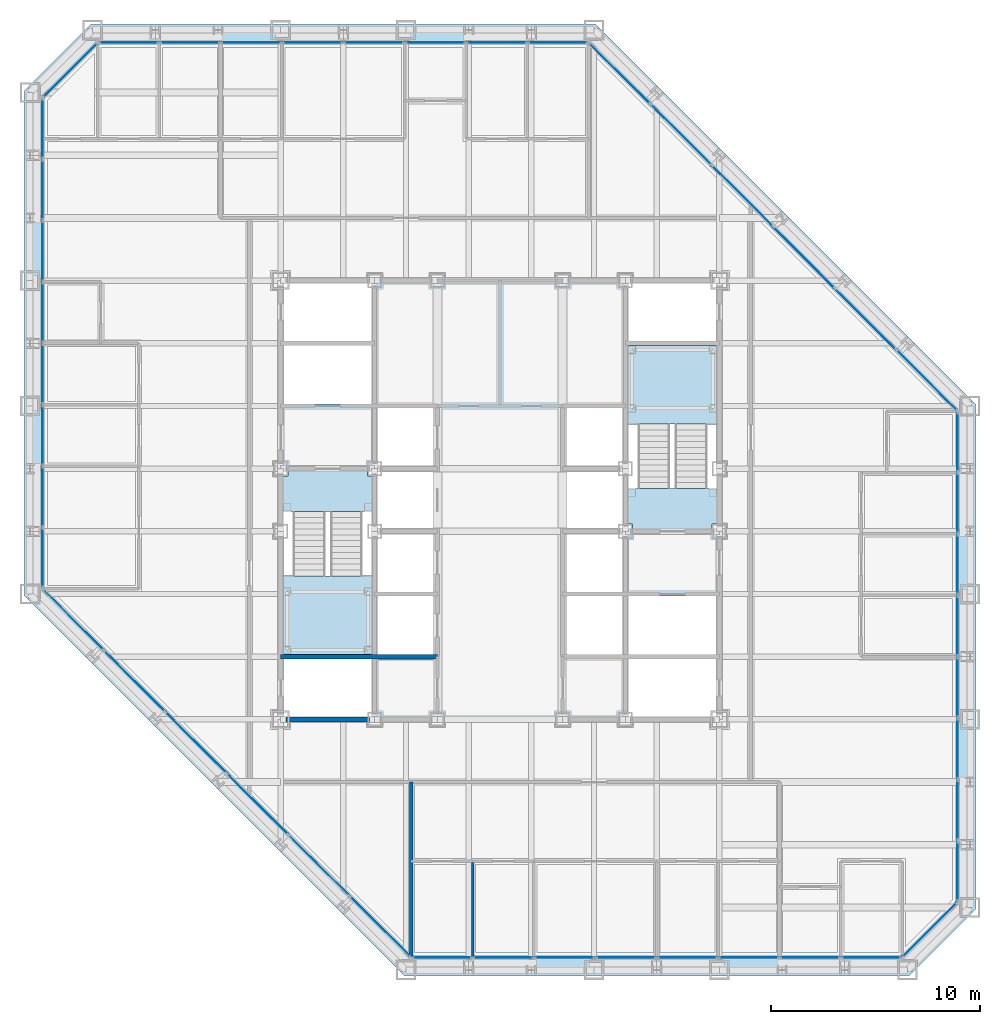
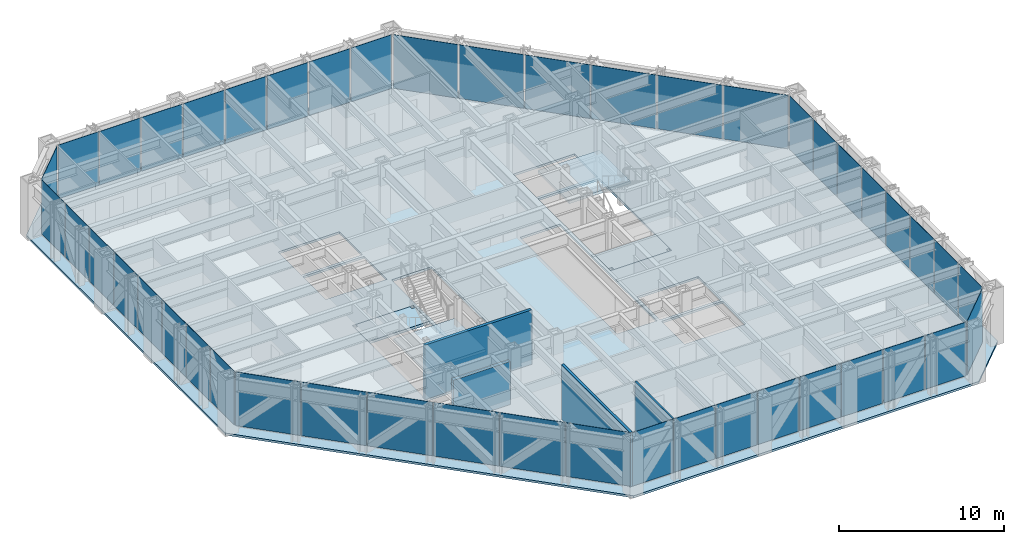
# One storey, part 9 of 16: 46 plates, 5 slabs, 4 walls, 10 elements without a shape of their own.
"""IFC4 building model written with IfcOpenShell, lengths in metres."""

from ifc_helpers import new_model, si_unit, direction, frame, frame_2d, origin, origin_2d, place, context, subcontext, project, spatial, polyline, rectangle, outline, extrude, material, layer, layer_set, type_object, element, aggregate, save


model = new_model("IFC4")

# Units and contexts
model_context = context("Model", 3, precision=1e-05, world=origin(), true_north=direction((0.0, 1.0)))
body_context = subcontext(model_context, "Body", "Model", "MODEL_VIEW")
ifc_project = project(units=[si_unit("LENGTHUNIT", "METRE"), si_unit("AREAUNIT", "SQUARE_METRE"), si_unit("VOLUMEUNIT", "CUBIC_METRE"), si_unit("PLANEANGLEUNIT", "RADIAN"), si_unit("MASSUNIT", "GRAM", prefix="KILO")], contexts=[model_context])

# Site, building, storey
site_placement = place(None, origin())
site = spatial("IfcSite", under=ifc_project, at=site_placement, CompositionType="ELEMENT")
building_placement = place(site_placement, origin())
building = spatial("IfcBuilding", under=site, at=building_placement, Name="Chuquiago Exchange Tower", CompositionType="ELEMENT")
storey_placement = place(building_placement, frame((0.0, 0.0, 111.0)))
storey = spatial("IfcBuildingStorey", under=building, at=storey_placement, Name="L23", CompositionType="ELEMENT", Elevation=111.0)

# Curtain wall, plates
ifc_material_1 = material(Name="Aluminium curtain wall system", Category="aluminium")
ifc_layer_1 = layer(ifc_material_1, 0.22509765625)
ifc_layer_set_1 = layer_set([ifc_layer_1], Name="CW2 office curtain wall")
curtain_wall_type_1 = type_object("IfcCurtainWallType", Name="CW2 office curtain wall", PredefinedType="NOTDEFINED", material=ifc_layer_set_1)
curtain_wall_1_placement = place(storey_placement, origin())
curtain_wall_1 = element("IfcCurtainWall", 1, at=curtain_wall_1_placement, inside=storey, type_object=curtain_wall_type_1, Name="CW2 curtain wall L23", PredefinedType="NOTDEFINED")
ifc_material_2 = material(Name="Glass, insulating unit", Category="glass")
ifc_layer_2 = layer(ifc_material_2, 0.030029296875)
ifc_layer_set_2 = layer_set([ifc_layer_2], Name="CW2-P panel 30")
plate_type_1 = type_object("IfcPlateType", Name="CW2-P panel 30", PredefinedType="CURTAIN_PANEL", material=ifc_layer_set_2)
plate_1_placement = place(storey_placement, frame((25.59326171875, 0.60009765625, 0.06494140625), z_axis=(0.0, 0.0, 1.0), x_axis=(1.0, 0.0, 0.0)))
plate_1 = element("IfcPlate", 2, at=plate_1_placement, type_object=plate_type_1, Name="CW2 panel 3.1", PredefinedType="CURTAIN_PANEL", context=body_context, shape_type="SweptSolid", body=[
    extrude(rectangle(XDim=2.872802734375, YDim=0.030029296875, at=origin_2d()), origin(), (0.0, 0.0, 1.0), 3.97509765625),
])
plate_2_placement = place(storey_placement, frame((34.40673828125, 0.60009765625, 0.06494140625), z_axis=(0.0, 0.0, 1.0), x_axis=(1.0, 0.0, 0.0)))
plate_2 = element("IfcPlate", 3, at=plate_2_placement, type_object=plate_type_1, Name="CW2 panel 6.1", PredefinedType="CURTAIN_PANEL", context=body_context, shape_type="SweptSolid", body=[
    extrude(rectangle(XDim=2.872802734375, YDim=0.030029296875, at=origin_2d()), origin(), (0.0, 0.0, 1.0), 3.97509765625),
])

curtain_wall_2_placement = place(storey_placement, origin())
curtain_wall_2 = element("IfcCurtainWall", 4, at=curtain_wall_2_placement, inside=storey, type_object=curtain_wall_type_1, Name="CW2 curtain wall L23", PredefinedType="NOTDEFINED")
plate_3_placement = place(storey_placement, frame((44.39990234375, 10.59326171875, 0.06494140625), z_axis=(0.0, 0.0, 1.0), x_axis=(0.0, 1.0, 0.0)))
plate_3 = element("IfcPlate", 5, at=plate_3_placement, type_object=plate_type_1, Name="CW2 panel 3.1", PredefinedType="CURTAIN_PANEL", context=body_context, shape_type="SweptSolid", body=[
    extrude(rectangle(XDim=2.872802734375, YDim=0.030029296875, at=origin_2d()), origin(), (0.0, 0.0, 1.0), 3.97509765625),
])
plate_4_placement = place(storey_placement, frame((44.39990234375, 19.40673828125, 0.06494140625), z_axis=(0.0, 0.0, 1.0), x_axis=(0.0, 1.0, 0.0)))
plate_4 = element("IfcPlate", 6, at=plate_4_placement, type_object=plate_type_1, Name="CW2 panel 6.1", PredefinedType="CURTAIN_PANEL", context=body_context, shape_type="SweptSolid", body=[
    extrude(rectangle(XDim=2.872802734375, YDim=0.030029296875, at=origin_2d()), origin(), (0.0, 0.0, 1.0), 3.97509765625),
])

curtain_wall_3_placement = place(storey_placement, origin())
curtain_wall_3 = element("IfcCurtainWall", 7, at=curtain_wall_3_placement, inside=storey, type_object=curtain_wall_type_1, Name="CW2 curtain wall L23", PredefinedType="NOTDEFINED")
plate_5_placement = place(storey_placement, frame((19.40673828125, 44.39990234375, 0.06494140625), z_axis=(0.0, 0.0, 1.0), x_axis=(-1.0, 0.0, 0.0)))
plate_5 = element("IfcPlate", 8, at=plate_5_placement, type_object=plate_type_1, Name="CW2 panel 3.1", PredefinedType="CURTAIN_PANEL", context=body_context, shape_type="SweptSolid", body=[
    extrude(rectangle(XDim=2.872802734375, YDim=0.030029296875, at=origin_2d()), origin(), (0.0, 0.0, 1.0), 3.97509765625),
])
plate_6_placement = place(storey_placement, frame((10.59326171875, 44.39990234375, 0.06494140625), z_axis=(0.0, 0.0, 1.0), x_axis=(-1.0, 0.0, 0.0)))
plate_6 = element("IfcPlate", 9, at=plate_6_placement, type_object=plate_type_1, Name="CW2 panel 6.1", PredefinedType="CURTAIN_PANEL", context=body_context, shape_type="SweptSolid", body=[
    extrude(rectangle(XDim=2.872802734375, YDim=0.030029296875, at=origin_2d()), origin(), (0.0, 0.0, 1.0), 3.97509765625),
])

curtain_wall_4_placement = place(storey_placement, origin())
curtain_wall_4 = element("IfcCurtainWall", 10, at=curtain_wall_4_placement, inside=storey, type_object=curtain_wall_type_1, Name="CW2 curtain wall L23", PredefinedType="NOTDEFINED")
plate_7_placement = place(storey_placement, frame((0.60009765625, 34.40673828125, 0.06494140625), z_axis=(0.0, 0.0, 1.0), x_axis=(0.0, -1.0, 0.0)))
plate_7 = element("IfcPlate", 11, at=plate_7_placement, type_object=plate_type_1, Name="CW2 panel 3.1", PredefinedType="CURTAIN_PANEL", context=body_context, shape_type="SweptSolid", body=[
    extrude(rectangle(XDim=2.872802734375, YDim=0.030029296875, at=origin_2d()), origin(), (0.0, 0.0, 1.0), 3.97509765625),
])
plate_8_placement = place(storey_placement, frame((0.60009765625, 25.59326171875, 0.06494140625), z_axis=(0.0, 0.0, 1.0), x_axis=(0.0, -1.0, 0.0)))
plate_8 = element("IfcPlate", 12, at=plate_8_placement, type_object=plate_type_1, Name="CW2 panel 6.1", PredefinedType="CURTAIN_PANEL", context=body_context, shape_type="SweptSolid", body=[
    extrude(rectangle(XDim=2.872802734375, YDim=0.030029296875, at=origin_2d()), origin(), (0.0, 0.0, 1.0), 3.97509765625),
])

# Plate
ifc_material_3 = material(Name="Insulated spandrel panel, pale anodised aluminium", Category="aluminium")
ifc_layer_3 = layer(ifc_material_3, 0.030029296875)
ifc_layer_set_3 = layer_set([ifc_layer_3], Name="CW2-P spandrel panel 30")
plate_type_2 = type_object("IfcPlateType", Name="CW2-P spandrel panel 30", PredefinedType="CURTAIN_PANEL", material=ifc_layer_set_3)
plate_9_placement = place(storey_placement, frame((19.733642578125, 0.60009765625, 0.06494140625), z_axis=(0.0, 0.0, 1.0), x_axis=(1.0, 0.0, 0.0)))
plate_9 = element("IfcPlate", 13, at=plate_9_placement, type_object=plate_type_2, Name="CW2 panel 1.1", PredefinedType="CURTAIN_PANEL", context=body_context, shape_type="SweptSolid", body=[
    extrude(rectangle(XDim=2.84033203125, YDim=0.030029296875, at=origin_2d()), origin(), (0.0, 0.0, 1.0), 3.97509765625),
])

plate_10_placement = place(storey_placement, frame((22.6552734375, 0.60009765625, 0.06494140625), z_axis=(0.0, 0.0, 1.0), x_axis=(1.0, 0.0, 0.0)))
plate_10 = element("IfcPlate", 14, at=plate_10_placement, type_object=plate_type_2, Name="CW2 panel 2.1", PredefinedType="CURTAIN_PANEL", context=body_context, shape_type="SweptSolid", body=[
    extrude(rectangle(XDim=2.872802734375, YDim=0.030029296875, at=origin_2d()), origin(), (0.0, 0.0, 1.0), 3.97509765625),
])

plate_11_placement = place(storey_placement, frame((28.531005859375, 0.60009765625, 0.06494140625), z_axis=(0.0, 0.0, 1.0), x_axis=(1.0, 0.0, 0.0)))
plate_11 = element("IfcPlate", 15, at=plate_11_placement, type_object=plate_type_2, Name="CW2 panel 4.1", PredefinedType="CURTAIN_PANEL", context=body_context, shape_type="SweptSolid", body=[
    extrude(rectangle(XDim=2.872802734375, YDim=0.030029296875, at=origin_2d()), origin(), (0.0, 0.0, 1.0), 3.97509765625),
])

plate_12_placement = place(storey_placement, frame((31.468994140625, 0.60009765625, 0.06494140625), z_axis=(0.0, 0.0, 1.0), x_axis=(1.0, 0.0, 0.0)))
plate_12 = element("IfcPlate", 16, at=plate_12_placement, type_object=plate_type_2, Name="CW2 panel 5.1", PredefinedType="CURTAIN_PANEL", context=body_context, shape_type="SweptSolid", body=[
    extrude(rectangle(XDim=2.872802734375, YDim=0.030029296875, at=origin_2d()), origin(), (0.0, 0.0, 1.0), 3.97509765625),
])

plate_13_placement = place(storey_placement, frame((37.3447265625, 0.60009765625, 0.06494140625), z_axis=(0.0, 0.0, 1.0), x_axis=(1.0, 0.0, 0.0)))
plate_13 = element("IfcPlate", 17, at=plate_13_placement, type_object=plate_type_2, Name="CW2 panel 7.1", PredefinedType="CURTAIN_PANEL", context=body_context, shape_type="SweptSolid", body=[
    extrude(rectangle(XDim=2.872802734375, YDim=0.030029296875, at=origin_2d()), origin(), (0.0, 0.0, 1.0), 3.97509765625),
])

plate_14_placement = place(storey_placement, frame((40.266357421875, 0.60009765625, 0.06494140625), z_axis=(0.0, 0.0, 1.0), x_axis=(1.0, 0.0, 0.0)))
plate_14 = element("IfcPlate", 18, at=plate_14_placement, type_object=plate_type_2, Name="CW2 panel 8.1", PredefinedType="CURTAIN_PANEL", context=body_context, shape_type="SweptSolid", body=[
    extrude(rectangle(XDim=2.84033203125, YDim=0.030029296875, at=origin_2d()), origin(), (0.0, 0.0, 1.0), 3.97509765625),
])

aggregate(curtain_wall_1, [plate_9, plate_10, plate_1, plate_11, plate_12, plate_2, plate_13, plate_14])

plate_15_placement = place(storey_placement, frame((44.39990234375, 4.733642578125, 0.06494140625), z_axis=(0.0, 0.0, 1.0), x_axis=(0.0, 1.0, 0.0)))
plate_15 = element("IfcPlate", 19, at=plate_15_placement, type_object=plate_type_2, Name="CW2 panel 1.1", PredefinedType="CURTAIN_PANEL", context=body_context, shape_type="SweptSolid", body=[
    extrude(rectangle(XDim=2.84033203125, YDim=0.030029296875, at=origin_2d()), origin(), (0.0, 0.0, 1.0), 3.97509765625),
])

plate_16_placement = place(storey_placement, frame((44.39990234375, 7.6552734375, 0.06494140625), z_axis=(0.0, 0.0, 1.0), x_axis=(0.0, 1.0, 0.0)))
plate_16 = element("IfcPlate", 20, at=plate_16_placement, type_object=plate_type_2, Name="CW2 panel 2.1", PredefinedType="CURTAIN_PANEL", context=body_context, shape_type="SweptSolid", body=[
    extrude(rectangle(XDim=2.872802734375, YDim=0.030029296875, at=origin_2d()), origin(), (0.0, 0.0, 1.0), 3.97509765625),
])

plate_17_placement = place(storey_placement, frame((44.39990234375, 13.531005859375, 0.06494140625), z_axis=(0.0, 0.0, 1.0), x_axis=(0.0, 1.0, 0.0)))
plate_17 = element("IfcPlate", 21, at=plate_17_placement, type_object=plate_type_2, Name="CW2 panel 4.1", PredefinedType="CURTAIN_PANEL", context=body_context, shape_type="SweptSolid", body=[
    extrude(rectangle(XDim=2.872802734375, YDim=0.030029296875, at=origin_2d()), origin(), (0.0, 0.0, 1.0), 3.97509765625),
])

plate_18_placement = place(storey_placement, frame((44.39990234375, 16.468994140625, 0.06494140625), z_axis=(0.0, 0.0, 1.0), x_axis=(0.0, 1.0, 0.0)))
plate_18 = element("IfcPlate", 22, at=plate_18_placement, type_object=plate_type_2, Name="CW2 panel 5.1", PredefinedType="CURTAIN_PANEL", context=body_context, shape_type="SweptSolid", body=[
    extrude(rectangle(XDim=2.872802734375, YDim=0.030029296875, at=origin_2d()), origin(), (0.0, 0.0, 1.0), 3.97509765625),
])

plate_19_placement = place(storey_placement, frame((44.39990234375, 22.3447265625, 0.06494140625), z_axis=(0.0, 0.0, 1.0), x_axis=(0.0, 1.0, 0.0)))
plate_19 = element("IfcPlate", 23, at=plate_19_placement, type_object=plate_type_2, Name="CW2 panel 7.1", PredefinedType="CURTAIN_PANEL", context=body_context, shape_type="SweptSolid", body=[
    extrude(rectangle(XDim=2.872802734375, YDim=0.030029296875, at=origin_2d()), origin(), (0.0, 0.0, 1.0), 3.97509765625),
])

plate_20_placement = place(storey_placement, frame((44.39990234375, 25.266357421875, 0.06494140625), z_axis=(0.0, 0.0, 1.0), x_axis=(0.0, 1.0, 0.0)))
plate_20 = element("IfcPlate", 24, at=plate_20_placement, type_object=plate_type_2, Name="CW2 panel 8.1", PredefinedType="CURTAIN_PANEL", context=body_context, shape_type="SweptSolid", body=[
    extrude(rectangle(XDim=2.84033203125, YDim=0.030029296875, at=origin_2d()), origin(), (0.0, 0.0, 1.0), 3.97509765625),
])

aggregate(curtain_wall_2, [plate_15, plate_16, plate_3, plate_17, plate_18, plate_4, plate_19, plate_20])

plate_21_placement = place(storey_placement, frame((25.266357421875, 44.39990234375, 0.06494140625), z_axis=(0.0, 0.0, 1.0), x_axis=(-1.0, 0.0, 0.0)))
plate_21 = element("IfcPlate", 25, at=plate_21_placement, type_object=plate_type_2, Name="CW2 panel 1.1", PredefinedType="CURTAIN_PANEL", context=body_context, shape_type="SweptSolid", body=[
    extrude(rectangle(XDim=2.84033203125, YDim=0.030029296875, at=origin_2d()), origin(), (0.0, 0.0, 1.0), 3.97509765625),
])

plate_22_placement = place(storey_placement, frame((22.3447265625, 44.39990234375, 0.06494140625), z_axis=(0.0, 0.0, 1.0), x_axis=(-1.0, 0.0, 0.0)))
plate_22 = element("IfcPlate", 26, at=plate_22_placement, type_object=plate_type_2, Name="CW2 panel 2.1", PredefinedType="CURTAIN_PANEL", context=body_context, shape_type="SweptSolid", body=[
    extrude(rectangle(XDim=2.872802734375, YDim=0.030029296875, at=origin_2d()), origin(), (0.0, 0.0, 1.0), 3.97509765625),
])

plate_23_placement = place(storey_placement, frame((16.468994140625, 44.39990234375, 0.06494140625), z_axis=(0.0, 0.0, 1.0), x_axis=(-1.0, 0.0, 0.0)))
plate_23 = element("IfcPlate", 27, at=plate_23_placement, type_object=plate_type_2, Name="CW2 panel 4.1", PredefinedType="CURTAIN_PANEL", context=body_context, shape_type="SweptSolid", body=[
    extrude(rectangle(XDim=2.872802734375, YDim=0.030029296875, at=origin_2d()), origin(), (0.0, 0.0, 1.0), 3.97509765625),
])

plate_24_placement = place(storey_placement, frame((13.531005859375, 44.39990234375, 0.06494140625), z_axis=(0.0, 0.0, 1.0), x_axis=(-1.0, 0.0, 0.0)))
plate_24 = element("IfcPlate", 28, at=plate_24_placement, type_object=plate_type_2, Name="CW2 panel 5.1", PredefinedType="CURTAIN_PANEL", context=body_context, shape_type="SweptSolid", body=[
    extrude(rectangle(XDim=2.872802734375, YDim=0.030029296875, at=origin_2d()), origin(), (0.0, 0.0, 1.0), 3.97509765625),
])

plate_25_placement = place(storey_placement, frame((7.6552734375, 44.39990234375, 0.06494140625), z_axis=(0.0, 0.0, 1.0), x_axis=(-1.0, 0.0, 0.0)))
plate_25 = element("IfcPlate", 29, at=plate_25_placement, type_object=plate_type_2, Name="CW2 panel 7.1", PredefinedType="CURTAIN_PANEL", context=body_context, shape_type="SweptSolid", body=[
    extrude(rectangle(XDim=2.872802734375, YDim=0.030029296875, at=origin_2d()), origin(), (0.0, 0.0, 1.0), 3.97509765625),
])

plate_26_placement = place(storey_placement, frame((4.733642578125, 44.39990234375, 0.06494140625), z_axis=(0.0, 0.0, 1.0), x_axis=(-1.0, 0.0, 0.0)))
plate_26 = element("IfcPlate", 30, at=plate_26_placement, type_object=plate_type_2, Name="CW2 panel 8.1", PredefinedType="CURTAIN_PANEL", context=body_context, shape_type="SweptSolid", body=[
    extrude(rectangle(XDim=2.84033203125, YDim=0.030029296875, at=origin_2d()), origin(), (0.0, 0.0, 1.0), 3.97509765625),
])

aggregate(curtain_wall_3, [plate_21, plate_22, plate_5, plate_23, plate_24, plate_6, plate_25, plate_26])

plate_27_placement = place(storey_placement, frame((0.60009765625, 40.266357421875, 0.06494140625), z_axis=(0.0, 0.0, 1.0), x_axis=(0.0, -1.0, 0.0)))
plate_27 = element("IfcPlate", 31, at=plate_27_placement, type_object=plate_type_2, Name="CW2 panel 1.1", PredefinedType="CURTAIN_PANEL", context=body_context, shape_type="SweptSolid", body=[
    extrude(rectangle(XDim=2.84033203125, YDim=0.030029296875, at=origin_2d()), origin(), (0.0, 0.0, 1.0), 3.97509765625),
])

plate_28_placement = place(storey_placement, frame((0.60009765625, 37.3447265625, 0.06494140625), z_axis=(0.0, 0.0, 1.0), x_axis=(0.0, -1.0, 0.0)))
plate_28 = element("IfcPlate", 32, at=plate_28_placement, type_object=plate_type_2, Name="CW2 panel 2.1", PredefinedType="CURTAIN_PANEL", context=body_context, shape_type="SweptSolid", body=[
    extrude(rectangle(XDim=2.872802734375, YDim=0.030029296875, at=origin_2d()), origin(), (0.0, 0.0, 1.0), 3.97509765625),
])

plate_29_placement = place(storey_placement, frame((0.60009765625, 31.468994140625, 0.06494140625), z_axis=(0.0, 0.0, 1.0), x_axis=(0.0, -1.0, 0.0)))
plate_29 = element("IfcPlate", 33, at=plate_29_placement, type_object=plate_type_2, Name="CW2 panel 4.1", PredefinedType="CURTAIN_PANEL", context=body_context, shape_type="SweptSolid", body=[
    extrude(rectangle(XDim=2.872802734375, YDim=0.030029296875, at=origin_2d()), origin(), (0.0, 0.0, 1.0), 3.97509765625),
])

plate_30_placement = place(storey_placement, frame((0.60009765625, 28.531005859375, 0.06494140625), z_axis=(0.0, 0.0, 1.0), x_axis=(0.0, -1.0, 0.0)))
plate_30 = element("IfcPlate", 34, at=plate_30_placement, type_object=plate_type_2, Name="CW2 panel 5.1", PredefinedType="CURTAIN_PANEL", context=body_context, shape_type="SweptSolid", body=[
    extrude(rectangle(XDim=2.872802734375, YDim=0.030029296875, at=origin_2d()), origin(), (0.0, 0.0, 1.0), 3.97509765625),
])

plate_31_placement = place(storey_placement, frame((0.60009765625, 22.6552734375, 0.06494140625), z_axis=(0.0, 0.0, 1.0), x_axis=(0.0, -1.0, 0.0)))
plate_31 = element("IfcPlate", 35, at=plate_31_placement, type_object=plate_type_2, Name="CW2 panel 7.1", PredefinedType="CURTAIN_PANEL", context=body_context, shape_type="SweptSolid", body=[
    extrude(rectangle(XDim=2.872802734375, YDim=0.030029296875, at=origin_2d()), origin(), (0.0, 0.0, 1.0), 3.97509765625),
])

plate_32_placement = place(storey_placement, frame((0.60009765625, 19.733642578125, 0.06494140625), z_axis=(0.0, 0.0, 1.0), x_axis=(0.0, -1.0, 0.0)))
plate_32 = element("IfcPlate", 36, at=plate_32_placement, type_object=plate_type_2, Name="CW2 panel 8.1", PredefinedType="CURTAIN_PANEL", context=body_context, shape_type="SweptSolid", body=[
    extrude(rectangle(XDim=2.84033203125, YDim=0.030029296875, at=origin_2d()), origin(), (0.0, 0.0, 1.0), 3.97509765625),
])

aggregate(curtain_wall_4, [plate_27, plate_28, plate_7, plate_29, plate_30, plate_8, plate_31, plate_32])

# Curtain wall, plate
ifc_material_4 = material(Name="Aluminium curtain wall system", Category="aluminium")
ifc_layer_4 = layer(ifc_material_4, 0.199951171875)
ifc_layer_set_4 = layer_set([ifc_layer_4], Name="CW3 facet curtain wall")
curtain_wall_type_2 = type_object("IfcCurtainWallType", Name="CW3 facet curtain wall", PredefinedType="NOTDEFINED", material=ifc_layer_set_4)
curtain_wall_5_placement = place(storey_placement, origin())
curtain_wall_5 = element("IfcCurtainWall", 37, at=curtain_wall_5_placement, inside=storey, type_object=curtain_wall_type_2, Name="CW3 curtain wall L23", PredefinedType="NOTDEFINED")
ifc_material_5 = material(Name="Insulated spandrel panel, pale anodised aluminium", Category="aluminium")
ifc_layer_5 = layer(ifc_material_5, 0.030029296875)
ifc_layer_set_5 = layer_set([ifc_layer_5], Name="CW3-P spandrel panel 30")
plate_type_3 = type_object("IfcPlateType", Name="CW3-P spandrel panel 30", PredefinedType="CURTAIN_PANEL", material=ifc_layer_set_5)
plate_33_placement = place(storey_placement, frame((43.07568359375, 1.92431640625, 0.06494140625), z_axis=(0.0, 0.0, 1.0), x_axis=(0.707106781187, 0.707106781187, 0.0)))
plate_33 = element("IfcPlate", 38, at=plate_33_placement, type_object=plate_type_3, Name="CW3 panel 1.1", PredefinedType="CURTAIN_PANEL", context=body_context, shape_type="SweptSolid", body=[
    extrude(rectangle(XDim=3.615478515625, YDim=0.030029296875, at=origin_2d()), origin(), (0.0, 0.0, 1.0), 3.97509765625),
])
aggregate(curtain_wall_5, [plate_33])

# Curtain wall, plates
curtain_wall_6_placement = place(storey_placement, origin())
curtain_wall_6 = element("IfcCurtainWall", 39, at=curtain_wall_6_placement, inside=storey, type_object=curtain_wall_type_2, Name="CW3 curtain wall L23", PredefinedType="NOTDEFINED")
plate_34_placement = place(storey_placement, frame((42.917724609375, 28.233642578125, 0.06494140625), z_axis=(0.0, 0.0, 1.0), x_axis=(-0.707106781187, 0.707106781187, 0.0)))
plate_34 = element("IfcPlate", 40, at=plate_34_placement, type_object=plate_type_3, Name="CW3 panel 1.1", PredefinedType="CURTAIN_PANEL", context=body_context, shape_type="SweptSolid", body=[
    extrude(rectangle(XDim=4.062255859375, YDim=0.030029296875, at=origin_2d()), origin(), (0.0, 0.0, 1.0), 3.97509765625),
])
plate_35_placement = place(storey_placement, frame((39.98779296875, 31.16357421875, 0.06494140625), z_axis=(0.0, 0.0, 1.0), x_axis=(-0.707106781187, 0.707106781187, 0.0)))
plate_35 = element("IfcPlate", 41, at=plate_35_placement, type_object=plate_type_3, Name="CW3 panel 2.1", PredefinedType="CURTAIN_PANEL", context=body_context, shape_type="SweptSolid", body=[
    extrude(rectangle(XDim=4.0947265625, YDim=0.030029296875, at=origin_2d()), origin(), (0.0, 0.0, 1.0), 3.97509765625),
])
plate_36_placement = place(storey_placement, frame((37.04638671875, 34.10498046875, 0.06494140625), z_axis=(0.0, 0.0, 1.0), x_axis=(-0.707106781187, 0.707106781187, 0.0)))
plate_36 = element("IfcPlate", 42, at=plate_36_placement, type_object=plate_type_3, Name="CW3 panel 3.1", PredefinedType="CURTAIN_PANEL", context=body_context, shape_type="SweptSolid", body=[
    extrude(rectangle(XDim=4.0947265625, YDim=0.030029296875, at=origin_2d()), origin(), (0.0, 0.0, 1.0), 3.97509765625),
])
plate_37_placement = place(storey_placement, frame((34.10498046875, 37.04638671875, 0.06494140625), z_axis=(0.0, 0.0, 1.0), x_axis=(-0.707106781187, 0.707106781187, 0.0)))
plate_37 = element("IfcPlate", 43, at=plate_37_placement, type_object=plate_type_3, Name="CW3 panel 4.1", PredefinedType="CURTAIN_PANEL", context=body_context, shape_type="SweptSolid", body=[
    extrude(rectangle(XDim=4.0947265625, YDim=0.030029296875, at=origin_2d()), origin(), (0.0, 0.0, 1.0), 3.97509765625),
])
plate_38_placement = place(storey_placement, frame((31.16357421875, 39.98779296875, 0.06494140625), z_axis=(0.0, 0.0, 1.0), x_axis=(-0.707106781187, 0.707106781187, 0.0)))
plate_38 = element("IfcPlate", 44, at=plate_38_placement, type_object=plate_type_3, Name="CW3 panel 5.1", PredefinedType="CURTAIN_PANEL", context=body_context, shape_type="SweptSolid", body=[
    extrude(rectangle(XDim=4.0947265625, YDim=0.030029296875, at=origin_2d()), origin(), (0.0, 0.0, 1.0), 3.97509765625),
])
plate_39_placement = place(storey_placement, frame((28.233642578125, 42.917724609375, 0.06494140625), z_axis=(0.0, 0.0, 1.0), x_axis=(-0.707106781187, 0.707106781187, 0.0)))
plate_39 = element("IfcPlate", 45, at=plate_39_placement, type_object=plate_type_3, Name="CW3 panel 6.1", PredefinedType="CURTAIN_PANEL", context=body_context, shape_type="SweptSolid", body=[
    extrude(rectangle(XDim=4.062255859375, YDim=0.030029296875, at=origin_2d()), origin(), (0.0, 0.0, 1.0), 3.97509765625),
])
aggregate(curtain_wall_6, [plate_34, plate_35, plate_36, plate_37, plate_38, plate_39])

# Curtain wall, plate
curtain_wall_7_placement = place(storey_placement, origin())
curtain_wall_7 = element("IfcCurtainWall", 46, at=curtain_wall_7_placement, inside=storey, type_object=curtain_wall_type_2, Name="CW3 curtain wall L23", PredefinedType="NOTDEFINED")
plate_40_placement = place(storey_placement, frame((1.92431640625, 43.07568359375, 0.06494140625), z_axis=(0.0, 0.0, 1.0), x_axis=(-0.707106781187, -0.707106781187, 0.0)))
plate_40 = element("IfcPlate", 47, at=plate_40_placement, type_object=plate_type_3, Name="CW3 panel 1.1", PredefinedType="CURTAIN_PANEL", context=body_context, shape_type="SweptSolid", body=[
    extrude(rectangle(XDim=3.615478515625, YDim=0.030029296875, at=origin_2d()), origin(), (0.0, 0.0, 1.0), 3.97509765625),
])
aggregate(curtain_wall_7, [plate_40])

# Curtain wall, plates
curtain_wall_8_placement = place(storey_placement, origin())
curtain_wall_8 = element("IfcCurtainWall", 48, at=curtain_wall_8_placement, inside=storey, type_object=curtain_wall_type_2, Name="CW3 curtain wall L23", PredefinedType="NOTDEFINED")
plate_41_placement = place(storey_placement, frame((2.082275390625, 16.766357421875, 0.06494140625), z_axis=(0.0, 0.0, 1.0), x_axis=(0.707106781187, -0.707106781187, 0.0)))
plate_41 = element("IfcPlate", 49, at=plate_41_placement, type_object=plate_type_3, Name="CW3 panel 1.1", PredefinedType="CURTAIN_PANEL", context=body_context, shape_type="SweptSolid", body=[
    extrude(rectangle(XDim=4.062255859375, YDim=0.030029296875, at=origin_2d()), origin(), (0.0, 0.0, 1.0), 3.97509765625),
])
plate_42_placement = place(storey_placement, frame((5.01220703125, 13.83642578125, 0.06494140625), z_axis=(0.0, 0.0, 1.0), x_axis=(0.707106781187, -0.707106781187, 0.0)))
plate_42 = element("IfcPlate", 50, at=plate_42_placement, type_object=plate_type_3, Name="CW3 panel 2.1", PredefinedType="CURTAIN_PANEL", context=body_context, shape_type="SweptSolid", body=[
    extrude(rectangle(XDim=4.0947265625, YDim=0.030029296875, at=origin_2d()), origin(), (0.0, 0.0, 1.0), 3.97509765625),
])
plate_43_placement = place(storey_placement, frame((7.95361328125, 10.89501953125, 0.06494140625), z_axis=(0.0, 0.0, 1.0), x_axis=(0.707106781187, -0.707106781187, 0.0)))
plate_43 = element("IfcPlate", 51, at=plate_43_placement, type_object=plate_type_3, Name="CW3 panel 3.1", PredefinedType="CURTAIN_PANEL", context=body_context, shape_type="SweptSolid", body=[
    extrude(rectangle(XDim=4.0947265625, YDim=0.030029296875, at=origin_2d()), origin(), (0.0, 0.0, 1.0), 3.97509765625),
])
plate_44_placement = place(storey_placement, frame((10.89501953125, 7.95361328125, 0.06494140625), z_axis=(0.0, 0.0, 1.0), x_axis=(0.707106781187, -0.707106781187, 0.0)))
plate_44 = element("IfcPlate", 52, at=plate_44_placement, type_object=plate_type_3, Name="CW3 panel 4.1", PredefinedType="CURTAIN_PANEL", context=body_context, shape_type="SweptSolid", body=[
    extrude(rectangle(XDim=4.0947265625, YDim=0.030029296875, at=origin_2d()), origin(), (0.0, 0.0, 1.0), 3.97509765625),
])
plate_45_placement = place(storey_placement, frame((13.83642578125, 5.01220703125, 0.06494140625), z_axis=(0.0, 0.0, 1.0), x_axis=(0.707106781187, -0.707106781187, 0.0)))
plate_45 = element("IfcPlate", 53, at=plate_45_placement, type_object=plate_type_3, Name="CW3 panel 5.1", PredefinedType="CURTAIN_PANEL", context=body_context, shape_type="SweptSolid", body=[
    extrude(rectangle(XDim=4.0947265625, YDim=0.030029296875, at=origin_2d()), origin(), (0.0, 0.0, 1.0), 3.97509765625),
])
plate_46_placement = place(storey_placement, frame((16.766357421875, 2.082275390625, 0.06494140625), z_axis=(0.0, 0.0, 1.0), x_axis=(0.707106781187, -0.707106781187, 0.0)))
plate_46 = element("IfcPlate", 54, at=plate_46_placement, type_object=plate_type_3, Name="CW3 panel 6.1", PredefinedType="CURTAIN_PANEL", context=body_context, shape_type="SweptSolid", body=[
    extrude(rectangle(XDim=4.062255859375, YDim=0.030029296875, at=origin_2d()), origin(), (0.0, 0.0, 1.0), 3.97509765625),
])
aggregate(curtain_wall_8, [plate_41, plate_42, plate_43, plate_44, plate_45, plate_46])

# Slab
ifc_material_6 = material(Name="Concrete C30/37", Category="concrete")
ifc_layer_6 = layer(ifc_material_6, 0.159912109375)
ifc_layer_set_6 = layer_set([ifc_layer_6], Name="FS1 composite floor 160")
slab_type_1 = type_object("IfcSlabType", Name="FS1 composite floor 160", PredefinedType="FLOOR", material=ifc_layer_set_6)
slab_1_placement = place(storey_placement, frame((0.0, 0.0, -0.159912109375)))
element("IfcSlab", 55, at=slab_1_placement, inside=storey, type_object=slab_type_1, Name="L23 floor slab", PredefinedType="FLOOR", context=body_context, shape_type="SweptSolid", body=[
    extrude(outline(polyline([(17.896484375, -0.25), (-0.25, 17.896484375), (-0.25, 42.103515625), (2.896484375, 45.25), (27.103515625, 45.25), (45.25, 27.103515625), (45.25, 2.896484375), (42.103515625, -0.25), (17.896484375, -0.25)]), holes=[polyline([(16.39990234375, 15.10009765625), (12.10009765625, 15.10009765625), (12.10009765625, 23.89990234375), (16.39990234375, 23.89990234375), (16.39990234375, 15.10009765625)]), polyline([(32.89990234375, 21.10009765625), (28.60009765625, 21.10009765625), (28.60009765625, 29.89990234375), (32.89990234375, 29.89990234375), (32.89990234375, 21.10009765625)]), polyline([(16.39990234375, 12.10009765625), (12.10009765625, 12.10009765625), (12.10009765625, 14.89990234375), (16.39990234375, 14.89990234375), (16.39990234375, 12.10009765625)]), polyline([(16.39990234375, 30.10009765625), (12.10009765625, 30.10009765625), (12.10009765625, 32.89990234375), (16.39990234375, 32.89990234375), (16.39990234375, 30.10009765625)]), polyline([(32.89990234375, 12.10009765625), (28.60009765625, 12.10009765625), (28.60009765625, 14.89990234375), (32.89990234375, 14.89990234375), (32.89990234375, 12.10009765625)]), polyline([(32.89990234375, 30.10009765625), (28.60009765625, 30.10009765625), (28.60009765625, 32.89990234375), (32.89990234375, 32.89990234375), (32.89990234375, 30.10009765625)]), polyline([(16.39990234375, 27.10009765625), (12.10009765625, 27.10009765625), (12.10009765625, 29.89990234375), (16.39990234375, 29.89990234375), (16.39990234375, 27.10009765625)]), polyline([(32.89990234375, 15.10009765625), (28.60009765625, 15.10009765625), (28.60009765625, 17.89990234375), (32.89990234375, 17.89990234375), (32.89990234375, 15.10009765625)]), polyline([(19.39990234375, 15.10009765625), (16.60009765625, 15.10009765625), (16.60009765625, 26.89990234375), (19.39990234375, 26.89990234375), (19.39990234375, 15.10009765625)]), polyline([(28.39990234375, 15.10009765625), (25.60009765625, 15.10009765625), (25.60009765625, 26.89990234375), (28.39990234375, 26.89990234375), (28.39990234375, 15.10009765625)])]), origin(), (0.0, 0.0, 1.0), 0.159912109375),
])

# Stair, slabs
ifc_material_7 = material(Name="Concrete C30/37, precast", Category="concrete")
stair_type_1 = type_object("IfcStairType", Name="ST1 half-turn stair 4200", PredefinedType="HALF_TURN_STAIR", material=ifc_material_7)
stair_1_placement = place(storey_placement, origin())
stair_1 = element("IfcStair", 56, at=stair_1_placement, inside=storey, type_object=stair_type_1, Name="Stair ST1 L23", PredefinedType="HALF_TURN_STAIR")
ifc_material_8 = material(Name="Concrete C30/37, precast", Category="concrete")
ifc_layer_7 = layer(ifc_material_8, 0.199951171875)
ifc_layer_set_7 = layer_set([ifc_layer_7], Name="ST-L landing 200")
slab_type_2 = type_object("IfcSlabType", Name="ST-L landing 200", PredefinedType="LANDING", material=ifc_layer_set_7)
slab_2_placement = place(storey_placement, frame((0.0, 0.0, -0.199951171875)))
slab_2 = element("IfcSlab", 57, at=slab_2_placement, type_object=slab_type_2, Name="ST1 landing 1", PredefinedType="LANDING", context=body_context, shape_type="SweptSolid", body=[
    extrude(outline(polyline([(12.35009765625, 23.89990234375), (16.14990234375, 23.89990234375), (16.14990234375, 23.64990234375), (16.39990234375, 23.64990234375), (16.39990234375, 21.949951171875), (12.10009765625, 21.949951171875), (12.10009765625, 23.64990234375), (12.35009765625, 23.64990234375), (12.35009765625, 23.89990234375)])), origin(), (0.0, 0.0, 1.0), 0.199951171875),
])
slab_3_placement = place(storey_placement, frame((0.0, 0.0, 1.89990234375)))
slab_3 = element("IfcSlab", 58, at=slab_3_placement, type_object=slab_type_2, Name="ST1 landing 2", PredefinedType="LANDING", context=body_context, shape_type="SweptSolid", body=[
    extrude(outline(polyline([(12.10009765625, 18.8701171875), (16.39990234375, 18.8701171875), (16.39990234375, 15.10009765625), (12.10009765625, 15.10009765625), (12.10009765625, 18.8701171875)])), origin(), (0.0, 0.0, 1.0), 0.2001953125),
])
aggregate(stair_1, [slab_2, slab_3])

ifc_material_9 = material(Name="Concrete C30/37, precast", Category="concrete")
stair_type_2 = type_object("IfcStairType", Name="ST2 half-turn stair 4200", PredefinedType="HALF_TURN_STAIR", material=ifc_material_9)
stair_2_placement = place(storey_placement, origin())
stair_2 = element("IfcStair", 59, at=stair_2_placement, inside=storey, type_object=stair_type_2, Name="Stair ST2 L23", PredefinedType="HALF_TURN_STAIR")
slab_4_placement = place(storey_placement, frame((0.0, 0.0, -0.199951171875)))
slab_4 = element("IfcSlab", 60, at=slab_4_placement, type_object=slab_type_2, Name="ST2 landing 1", PredefinedType="LANDING", context=body_context, shape_type="SweptSolid", body=[
    extrude(outline(polyline([(32.64990234375, 21.35009765625), (32.64990234375, 21.10009765625), (28.85009765625, 21.10009765625), (28.85009765625, 21.35009765625), (28.60009765625, 21.35009765625), (28.60009765625, 23.050048828125), (32.89990234375, 23.050048828125), (32.89990234375, 21.35009765625), (32.64990234375, 21.35009765625)])), origin(), (0.0, 0.0, 1.0), 0.199951171875),
])
slab_5_placement = place(storey_placement, frame((0.0, 0.0, 1.89990234375)))
slab_5 = element("IfcSlab", 61, at=slab_5_placement, type_object=slab_type_2, Name="ST2 landing 2", PredefinedType="LANDING", context=body_context, shape_type="SweptSolid", body=[
    extrude(outline(polyline([(28.60009765625, 29.89990234375), (32.89990234375, 29.89990234375), (32.89990234375, 26.1298828125), (28.60009765625, 26.1298828125), (28.60009765625, 29.89990234375)])), origin(), (0.0, 0.0, 1.0), 0.2001953125),
])
aggregate(stair_2, [slab_4, slab_5])

# Walls
ifc_material_10 = material(Name="Concrete masonry, fully grouted", Category="masonry")
ifc_layer_8 = layer(ifc_material_10, 0.25)
ifc_layer_set_8 = layer_set([ifc_layer_8], Name="W1 core wall 250")
wall_type_1 = type_object("IfcWallType", Name="W1 core wall 250", PredefinedType="SOLIDWALL", material=ifc_layer_set_8)
wall_1_placement = place(storey_placement, frame((12.25, 12.0, 0.0), z_axis=(0.0, 0.0, 1.0), x_axis=(1.0, 0.0, 0.0)))
element("IfcWall", 62, at=wall_1_placement, inside=storey, type_object=wall_type_1, Name="CW-L23-01-0", PredefinedType="SOLIDWALL", context=body_context, shape_type="SweptSolid", body=[
    extrude(rectangle(XDim=4.0, YDim=0.25, at=frame_2d((2.0, 0.0))), origin(), (0.0, 0.0, 1.0), 3.181396484375),
])
ifc_material_11 = material(Name="Gypsum board on twin steel studs, acoustic insulation", Category="steel")
ifc_layer_9 = layer(ifc_material_11, 0.175048828125)
ifc_layer_set_9 = layer_set([ifc_layer_9], Name="W12 tenant demising wall 175")
wall_type_2 = type_object("IfcWallType", Name="W12 tenant demising wall 175", PredefinedType="PARTITIONING", material=ifc_layer_set_9)
wall_2_placement = place(storey_placement, frame((18.24853515625, 0.666015625, 0.0), z_axis=(0.0, 0.0, 1.0), x_axis=(0.0, 1.0, 0.0)))
element("IfcWall", 63, at=wall_2_placement, inside=storey, type_object=wall_type_2, Name="PW-L23-DS01825", PredefinedType="PARTITIONING", context=body_context, shape_type="SweptSolid", body=[
    extrude(rectangle(XDim=8.333984375, YDim=0.175048828125, at=frame_2d((4.1669921875, 0.0))), origin(), (0.0, 0.0, 1.0), 4.0400390625),
])
ifc_material_12 = material(Name="Concrete masonry, fully grouted", Category="masonry")
ifc_layer_10 = layer(ifc_material_12, 0.199951171875)
ifc_layer_set_10 = layer_set([ifc_layer_10], Name="W2 shaft wall 200")
wall_type_3 = type_object("IfcWallType", Name="W2 shaft wall 200", PredefinedType="SOLIDWALL", material=ifc_layer_set_10)
wall_3_placement = place(storey_placement, frame((12.0, 15.0, 0.0), z_axis=(0.0, 0.0, 1.0), x_axis=(1.0, 0.0, 0.0)))
element("IfcWall", 64, at=wall_3_placement, inside=storey, type_object=wall_type_3, Name="CW-L23-03-0", PredefinedType="SOLIDWALL", context=body_context, shape_type="SweptSolid", body=[
    extrude(rectangle(XDim=7.5, YDim=0.199951171875, at=frame_2d((3.75, 0.0))), origin(), (0.0, 0.0, 1.0), 4.0400390625),
])
ifc_material_13 = material(Name="Gypsum board on steel studs", Category="steel")
ifc_layer_11 = layer(ifc_material_13, 0.1201171875)
ifc_layer_set_11 = layer_set([ifc_layer_11], Name="W4 partition 120")
wall_type_4 = type_object("IfcWallType", Name="W4 partition 120", PredefinedType="PARTITIONING", material=ifc_layer_set_11)
wall_4_placement = place(storey_placement, frame((21.186279296875, 0.652587890625, 0.0), z_axis=(0.0, 0.0, 1.0), x_axis=(0.0, 1.0, 0.0)))
element("IfcWall", 65, at=wall_4_placement, inside=storey, type_object=wall_type_4, Name="PW-L23-S02119", PredefinedType="PARTITIONING", context=body_context, shape_type="SweptSolid", body=[
    extrude(rectangle(XDim=4.54736328125, YDim=0.1201171875, at=frame_2d((2.273681640625, 0.0))), origin(), (0.0, 0.0, 1.0), 4.0400390625),
])

save(model, "model.ifc")
